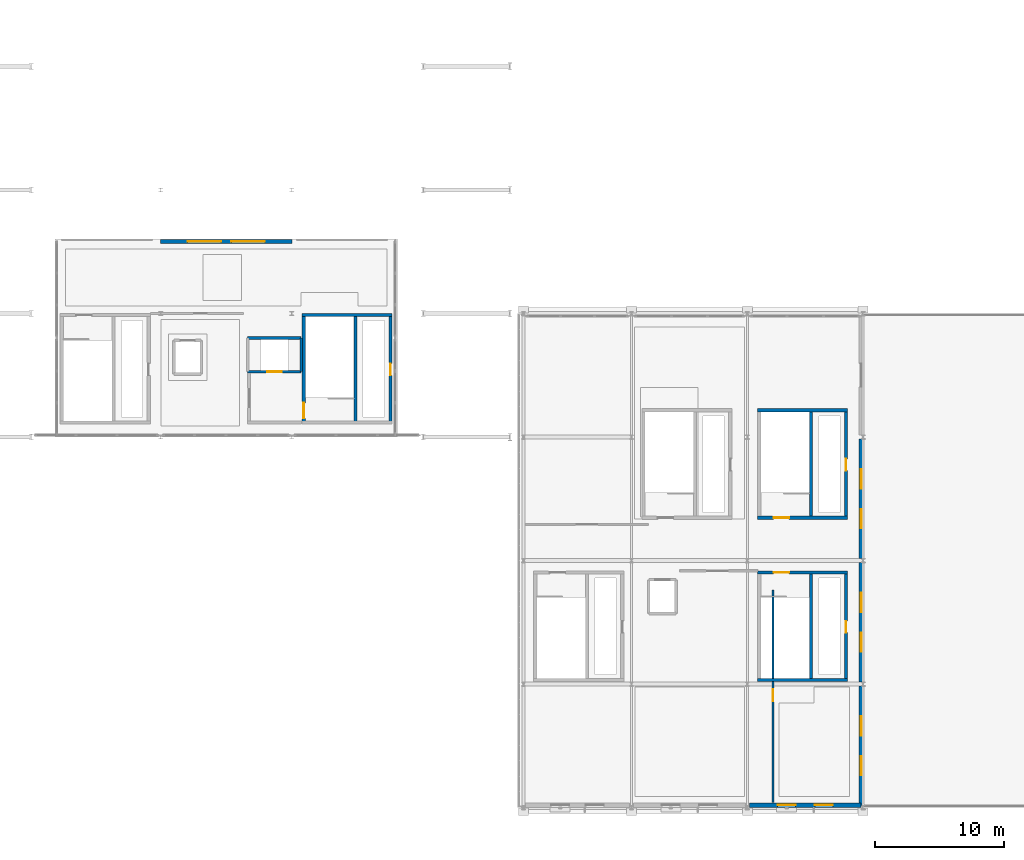
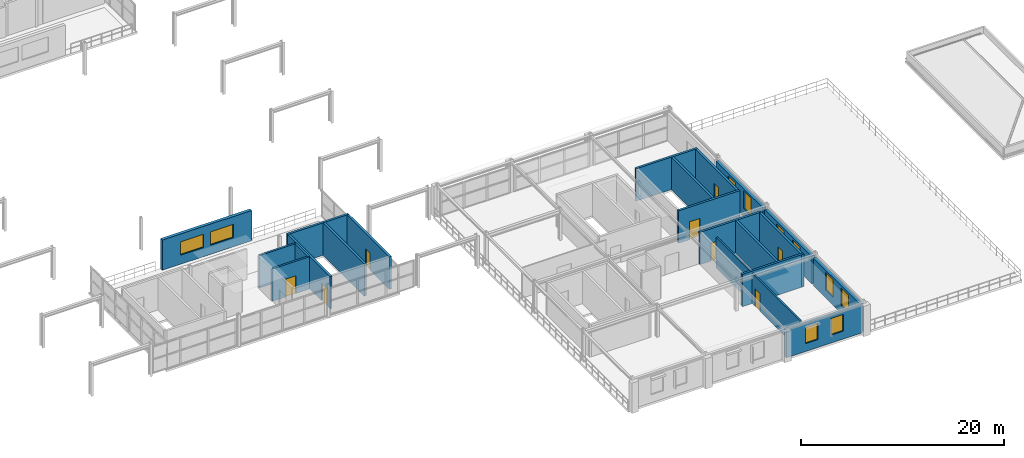
# One storey, part 35 of 52: 21 walls, 10 windows, 8 doors, 18 openings.
"""IFC4 building model written with IfcOpenShell, lengths in metres."""

from ifc_helpers import new_model, si_unit, direction, frame, frame_2d, origin, place, context, subcontext, project, spatial, rectangle, extrude, material, layer, layer_set, type_object, element, fill, save


model = new_model("IFC4")

# Units and contexts
model_context = context("Model", 3, precision=1e-05, world=origin(), true_north=direction((0.0, 1.0)))
body_context = subcontext(model_context, "Body", "Model", "MODEL_VIEW")
ifc_project = project(units=[si_unit("LENGTHUNIT", "METRE"), si_unit("AREAUNIT", "SQUARE_METRE"), si_unit("VOLUMEUNIT", "CUBIC_METRE"), si_unit("PLANEANGLEUNIT", "RADIAN"), si_unit("MASSUNIT", "GRAM", prefix="KILO")], contexts=[model_context])

# Site, building, storey
site_placement = place(None, origin())
site = spatial("IfcSite", under=ifc_project, at=site_placement, CompositionType="ELEMENT")
building_placement = place(site_placement, origin())
building = spatial("IfcBuilding", under=site, at=building_placement, Name="Myrtia Square Station", CompositionType="ELEMENT")
storey_placement = place(building_placement, frame((0.0, 0.0, 15.0)))
storey = spatial("IfcBuildingStorey", under=building, at=storey_placement, Name="L03", CompositionType="ELEMENT", Elevation=15.0)

# Wall
ifc_material_1 = material(Name="Concrete C35/45", Category="concrete")
ifc_layer_1 = layer(ifc_material_1, 0.25, Name="Concrete C35/45")
ifc_layer_set_1 = layer_set([ifc_layer_1], Name="Concrete C35/45")
wall_type_1 = type_object("IfcWallType", Name="WL-CORE-250", PredefinedType="SHEAR", material=ifc_layer_set_1)
wall_1_placement = place(storey_placement, frame((100.39990234375, 38.27490234375, 0.0), z_axis=(0.0, 0.0, 1.0), x_axis=(1.0, 0.0, 0.0)))
element("IfcWall", 1, at=wall_1_placement, inside=storey, type_object=wall_type_1, Name="Core K3 shear wall L03 N", PredefinedType="SHEAR", context=body_context, shape_type="SweptSolid", body=[
    extrude(rectangle(XDim=7.0, YDim=0.25, at=frame_2d((3.5, 0.0))), origin(), (0.0, 0.0, 1.0), 3.89990234375),
])

# Wall, opening, door
wall_2_placement = place(storey_placement, frame((100.52490234375, 29.800048828125, 0.0), z_axis=(0.0, 0.0, 1.0), x_axis=(0.0, 1.0, 0.0)))
wall_2 = element("IfcWall", 2, at=wall_2_placement, inside=storey, type_object=wall_type_1, Name="Core K3 shear wall L03 W", PredefinedType="SHEAR", context=body_context, shape_type="SweptSolid", body=[
    extrude(rectangle(XDim=8.599853515625, YDim=0.25, at=frame_2d((4.2998046875, 0.0))), origin(), (0.0, 0.0, 1.0), 3.89990234375),
])
opening_1_placement = place(wall_2_placement, frame((0.449951171875, 0.0, 0.0)))
opening_1 = element("IfcOpeningElement", 3, at=opening_1_placement, cuts=wall_2, Name="Opening SD-033", PredefinedType="OPENING", context=body_context, shape_type="SweptSolid", body=[
    extrude(rectangle(XDim=1.199951171875, YDim=2.14990234375, at=frame_2d((0.60009765625, 1.074951171875))), frame((0.0, 0.139892578125, 0.0), z_axis=(0.0, -1.0, 0.0), x_axis=(1.0, 0.0, 0.0)), (0.0, 0.0, 1.0), 0.280029296875),
])
ifc_material_2 = material(Name="Dark bronze anodised aluminium", Category="aluminium")
door_type_1 = type_object("IfcDoorType", Name="DR-STAIR-1200x2150", OperationType="NOTDEFINED", PredefinedType="DOOR", material=ifc_material_2)
door_1_placement = place(opening_1_placement, frame((1.199951171875, 0.0, 0.0), z_axis=(0.0, 0.0, 1.0), x_axis=(-1.0, 0.0, 0.0)))
door_1 = element("IfcDoor", 4, at=door_1_placement, inside=storey, type_object=door_type_1, Name="Protected stair fire door K3 L03", OperationType="SINGLE_SWING_LEFT", OverallHeight=2.14990234375, OverallWidth=1.199951171875, PredefinedType="DOOR", context=body_context, shape_type="SweptSolid", body=[
    extrude(rectangle(XDim=1.199951171875, YDim=2.14990234375, at=frame_2d((0.60009765625, 1.074951171875))), frame((0.0, 0.02490234375, 0.0), z_axis=(0.0, -1.0, 0.0), x_axis=(1.0, 0.0, 0.0)), (0.0, 0.0, 1.0), 0.050048828125),
])
fill(opening_1, door_1)

wall_3_placement = place(storey_placement, frame((107.27490234375, 29.800048828125, 0.0), z_axis=(0.0, 0.0, 1.0), x_axis=(0.0, 1.0, 0.0)))
wall_3 = element("IfcWall", 5, at=wall_3_placement, inside=storey, type_object=wall_type_1, Name="Core K3 shear wall L03 E", PredefinedType="SHEAR", context=body_context, shape_type="SweptSolid", body=[
    extrude(rectangle(XDim=8.599853515625, YDim=0.25, at=frame_2d((4.2998046875, 0.0))), origin(), (0.0, 0.0, 1.0), 3.89990234375),
])
opening_2_placement = place(wall_3_placement, frame((3.800048828125, 0.0, 0.0)))
opening_2 = element("IfcOpeningElement", 6, at=opening_2_placement, cuts=wall_3, Name="Opening RD-034", PredefinedType="OPENING", context=body_context, shape_type="SweptSolid", body=[
    extrude(rectangle(XDim=0.89990234375, YDim=2.050048828125, at=frame_2d((0.449951171875, 1.02490234375))), frame((0.0, 0.139892578125, 0.0), z_axis=(0.0, -1.0, 0.0), x_axis=(1.0, 0.0, 0.0)), (0.0, 0.0, 1.0), 0.280029296875),
])
door_type_2 = type_object("IfcDoorType", Name="DR-RISER-900x2050", OperationType="NOTDEFINED", PredefinedType="DOOR", material=ifc_material_2)
door_2_placement = place(opening_2_placement, origin())
door_2 = element("IfcDoor", 7, at=door_2_placement, inside=storey, type_object=door_type_2, Name="Riser cupboard access door K3 L03", OperationType="SINGLE_SWING_RIGHT", OverallHeight=2.050048828125, OverallWidth=0.89990234375, PredefinedType="DOOR", context=body_context, shape_type="SweptSolid", body=[
    extrude(rectangle(XDim=0.89990234375, YDim=2.050048828125, at=frame_2d((0.449951171875, 1.02490234375))), frame((0.0, 0.02490234375, 0.0), z_axis=(0.0, -1.0, 0.0), x_axis=(1.0, 0.0, 0.0)), (0.0, 0.0, 1.0), 0.050048828125),
])
fill(opening_2, door_2)

# Walls
wall_4_placement = place(storey_placement, frame((104.5400390625, 30.0, 0.0), z_axis=(0.0, 0.0, 1.0), x_axis=(0.0, 1.0, 0.0)))
element("IfcWall", 8, at=wall_4_placement, inside=storey, type_object=wall_type_1, Name="Core K3 shear wall L03 D", PredefinedType="SHEAR", context=body_context, shape_type="SweptSolid", body=[
    extrude(rectangle(XDim=8.199951171875, YDim=0.25, at=frame_2d((4.10009765625, 0.0))), origin(), (0.0, 0.0, 1.0), 3.89990234375),
])
wall_5_placement = place(storey_placement, frame((135.800048828125, 9.925048828125, 0.0), z_axis=(0.0, 0.0, 1.0), x_axis=(1.0, 0.0, 0.0)))
element("IfcWall", 9, at=wall_5_placement, inside=storey, type_object=wall_type_1, Name="Core K6 shear wall L03 S", PredefinedType="SHEAR", context=body_context, shape_type="SweptSolid", body=[
    extrude(rectangle(XDim=7.0, YDim=0.25, at=frame_2d((3.5, 0.0))), origin(), (0.0, 0.0, 1.0), 3.89990234375),
])

# Wall, opening, door
wall_6_placement = place(storey_placement, frame((135.800048828125, 18.27490234375, 0.0), z_axis=(0.0, 0.0, 1.0), x_axis=(1.0, 0.0, 0.0)))
wall_6 = element("IfcWall", 10, at=wall_6_placement, inside=storey, type_object=wall_type_1, Name="Core K6 shear wall L03 N", PredefinedType="SHEAR", context=body_context, shape_type="SweptSolid", body=[
    extrude(rectangle(XDim=7.0, YDim=0.25, at=frame_2d((3.5, 0.0))), origin(), (0.0, 0.0, 1.0), 3.89990234375),
])
opening_3_placement = place(wall_6_placement, frame((1.25, 0.0, 0.0)))
opening_3 = element("IfcOpeningElement", 11, at=opening_3_placement, cuts=wall_6, Name="Opening SD-069", PredefinedType="OPENING", context=body_context, shape_type="SweptSolid", body=[
    extrude(rectangle(XDim=1.199951171875, YDim=2.14990234375, at=frame_2d((0.60009765625, 1.074951171875))), frame((0.0, 0.139892578125, 0.0), z_axis=(0.0, -1.0, 0.0), x_axis=(1.0, 0.0, 0.0)), (0.0, 0.0, 1.0), 0.280029296875),
])
door_3_placement = place(opening_3_placement, frame((1.199951171875, 0.0, 0.0), z_axis=(0.0, 0.0, 1.0), x_axis=(-1.0, 0.0, 0.0)))
door_3 = element("IfcDoor", 12, at=door_3_placement, inside=storey, type_object=door_type_1, Name="Protected stair fire door K6 L03", OperationType="SINGLE_SWING_LEFT", OverallHeight=2.14990234375, OverallWidth=1.199951171875, PredefinedType="DOOR", context=body_context, shape_type="SweptSolid", body=[
    extrude(rectangle(XDim=1.199951171875, YDim=2.14990234375, at=frame_2d((0.60009765625, 1.074951171875))), frame((0.0, 0.02490234375, 0.0), z_axis=(0.0, -1.0, 0.0), x_axis=(1.0, 0.0, 0.0)), (0.0, 0.0, 1.0), 0.050048828125),
])
fill(opening_3, door_3)

wall_7_placement = place(storey_placement, frame((142.675048828125, 9.800048828125, 0.0), z_axis=(0.0, 0.0, 1.0), x_axis=(0.0, 1.0, 0.0)))
wall_7 = element("IfcWall", 13, at=wall_7_placement, inside=storey, type_object=wall_type_1, Name="Core K6 shear wall L03 E", PredefinedType="SHEAR", context=body_context, shape_type="SweptSolid", body=[
    extrude(rectangle(XDim=8.599853515625, YDim=0.25, at=frame_2d((4.2998046875, 0.0))), origin(), (0.0, 0.0, 1.0), 3.89990234375),
])
opening_4_placement = place(wall_7_placement, frame((3.800048828125, 0.0, 0.0)))
opening_4 = element("IfcOpeningElement", 14, at=opening_4_placement, cuts=wall_7, Name="Opening RD-070", PredefinedType="OPENING", context=body_context, shape_type="SweptSolid", body=[
    extrude(rectangle(XDim=0.89990234375, YDim=2.050048828125, at=frame_2d((0.449951171875, 1.02490234375))), frame((0.0, 0.139892578125, 0.0), z_axis=(0.0, -1.0, 0.0), x_axis=(1.0, 0.0, 0.0)), (0.0, 0.0, 1.0), 0.280029296875),
])
door_4_placement = place(opening_4_placement, origin())
door_4 = element("IfcDoor", 15, at=door_4_placement, inside=storey, type_object=door_type_2, Name="Riser cupboard access door K6 L03", OperationType="SINGLE_SWING_RIGHT", OverallHeight=2.050048828125, OverallWidth=0.89990234375, PredefinedType="DOOR", context=body_context, shape_type="SweptSolid", body=[
    extrude(rectangle(XDim=0.89990234375, YDim=2.050048828125, at=frame_2d((0.449951171875, 1.02490234375))), frame((0.0, 0.02490234375, 0.0), z_axis=(0.0, -1.0, 0.0), x_axis=(1.0, 0.0, 0.0)), (0.0, 0.0, 1.0), 0.050048828125),
])
fill(opening_4, door_4)

# Wall
wall_8_placement = place(storey_placement, frame((139.93994140625, 10.0, 0.0), z_axis=(0.0, 0.0, 1.0), x_axis=(0.0, 1.0, 0.0)))
element("IfcWall", 16, at=wall_8_placement, inside=storey, type_object=wall_type_1, Name="Core K6 shear wall L03 D", PredefinedType="SHEAR", context=body_context, shape_type="SweptSolid", body=[
    extrude(rectangle(XDim=8.199951171875, YDim=0.25, at=frame_2d((4.10009765625, 0.0))), origin(), (0.0, 0.0, 1.0), 3.89990234375),
])

# Wall, opening, door
wall_9_placement = place(storey_placement, frame((135.800048828125, 22.52490234375, 0.0), z_axis=(0.0, 0.0, 1.0), x_axis=(1.0, 0.0, 0.0)))
wall_9 = element("IfcWall", 17, at=wall_9_placement, inside=storey, type_object=wall_type_1, Name="Core K9 shear wall L03 S", PredefinedType="SHEAR", context=body_context, shape_type="SweptSolid", body=[
    extrude(rectangle(XDim=7.0, YDim=0.25, at=frame_2d((3.5, 0.0))), origin(), (0.0, 0.0, 1.0), 3.89990234375),
])
opening_5_placement = place(wall_9_placement, frame((1.25, 0.0, 0.0)))
opening_5 = element("IfcOpeningElement", 18, at=opening_5_placement, cuts=wall_9, Name="Opening SD-079", PredefinedType="OPENING", context=body_context, shape_type="SweptSolid", body=[
    extrude(rectangle(XDim=1.199951171875, YDim=2.14990234375, at=frame_2d((0.60009765625, 1.074951171875))), frame((0.0, 0.139892578125, 0.0), z_axis=(0.0, -1.0, 0.0), x_axis=(1.0, 0.0, 0.0)), (0.0, 0.0, 1.0), 0.280029296875),
])
door_5_placement = place(opening_5_placement, origin())
door_5 = element("IfcDoor", 19, at=door_5_placement, inside=storey, type_object=door_type_1, Name="Protected stair fire door K9 L03", OperationType="SINGLE_SWING_LEFT", OverallHeight=2.14990234375, OverallWidth=1.199951171875, PredefinedType="DOOR", context=body_context, shape_type="SweptSolid", body=[
    extrude(rectangle(XDim=1.199951171875, YDim=2.14990234375, at=frame_2d((0.60009765625, 1.074951171875))), frame((0.0, 0.02490234375, 0.0), z_axis=(0.0, -1.0, 0.0), x_axis=(1.0, 0.0, 0.0)), (0.0, 0.0, 1.0), 0.050048828125),
])
fill(opening_5, door_5)

# Wall
wall_10_placement = place(storey_placement, frame((135.800048828125, 30.875, 0.0), z_axis=(0.0, 0.0, 1.0), x_axis=(1.0, 0.0, 0.0)))
element("IfcWall", 20, at=wall_10_placement, inside=storey, type_object=wall_type_1, Name="Core K9 shear wall L03 N", PredefinedType="SHEAR", context=body_context, shape_type="SweptSolid", body=[
    extrude(rectangle(XDim=7.0, YDim=0.25, at=frame_2d((3.5, 0.0))), origin(), (0.0, 0.0, 1.0), 3.89990234375),
])

# Wall, opening, door
wall_11_placement = place(storey_placement, frame((142.675048828125, 22.39990234375, 0.0), z_axis=(0.0, 0.0, 1.0), x_axis=(0.0, 1.0, 0.0)))
wall_11 = element("IfcWall", 21, at=wall_11_placement, inside=storey, type_object=wall_type_1, Name="Core K9 shear wall L03 E", PredefinedType="SHEAR", context=body_context, shape_type="SweptSolid", body=[
    extrude(rectangle(XDim=8.60009765625, YDim=0.25, at=frame_2d((4.300048828125, 0.0))), origin(), (0.0, 0.0, 1.0), 3.89990234375),
])
opening_6_placement = place(wall_11_placement, frame((3.800048828125, 0.0, 0.0)))
opening_6 = element("IfcOpeningElement", 22, at=opening_6_placement, cuts=wall_11, Name="Opening RD-080", PredefinedType="OPENING", context=body_context, shape_type="SweptSolid", body=[
    extrude(rectangle(XDim=0.89990234375, YDim=2.050048828125, at=frame_2d((0.449951171875, 1.02490234375))), frame((0.0, 0.139892578125, 0.0), z_axis=(0.0, -1.0, 0.0), x_axis=(1.0, 0.0, 0.0)), (0.0, 0.0, 1.0), 0.280029296875),
])
door_6_placement = place(opening_6_placement, origin())
door_6 = element("IfcDoor", 23, at=door_6_placement, inside=storey, type_object=door_type_2, Name="Riser cupboard access door K9 L03", OperationType="SINGLE_SWING_RIGHT", OverallHeight=2.050048828125, OverallWidth=0.89990234375, PredefinedType="DOOR", context=body_context, shape_type="SweptSolid", body=[
    extrude(rectangle(XDim=0.89990234375, YDim=2.050048828125, at=frame_2d((0.449951171875, 1.02490234375))), frame((0.0, 0.02490234375, 0.0), z_axis=(0.0, -1.0, 0.0), x_axis=(1.0, 0.0, 0.0)), (0.0, 0.0, 1.0), 0.050048828125),
])
fill(opening_6, door_6)

# Wall
wall_12_placement = place(storey_placement, frame((139.93994140625, 22.60009765625, 0.0), z_axis=(0.0, 0.0, 1.0), x_axis=(0.0, 1.0, 0.0)))
element("IfcWall", 24, at=wall_12_placement, inside=storey, type_object=wall_type_1, Name="Core K9 shear wall L03 D", PredefinedType="SHEAR", context=body_context, shape_type="SweptSolid", body=[
    extrude(rectangle(XDim=8.199951171875, YDim=0.25, at=frame_2d((4.10009765625, 0.0))), origin(), (0.0, 0.0, 1.0), 3.89990234375),
])

# Wall, openings, windows
ifc_material_3 = material(Name="Cream lime stucco on clay brick masonry", Category="masonry")
ifc_layer_2 = layer(ifc_material_3, 0.340087890625, Name="Cream lime stucco on clay brick masonry")
ifc_layer_set_2 = layer_set([ifc_layer_2], Name="Cream lime stucco on clay brick masonry")
wall_type_2 = type_object("IfcWallType", Name="WL-EXT-STUCCO-340", PredefinedType="SOLIDWALL", material=ifc_layer_set_2)
wall_13_placement = place(storey_placement, frame((89.39990234375, 44.0, 0.0), z_axis=(0.0, 0.0, 1.0), x_axis=(1.0, 0.0, 0.0)))
wall_13 = element("IfcWall", 25, at=wall_13_placement, inside=storey, type_object=wall_type_2, Name="Exterior envelope wall EW-L03-0015", PredefinedType="SOLIDWALL", context=body_context, shape_type="SweptSolid", body=[
    extrude(rectangle(XDim=10.2001953125, YDim=0.340087890625, at=frame_2d((5.10009765625, 0.0))), origin(), (0.0, 0.0, 1.0), 3.639892578125),
])
opening_7_placement = place(wall_13_placement, frame((2.10009765625, 0.0, 1.10009765625)))
opening_7 = element("IfcOpeningElement", 26, at=opening_7_placement, cuts=wall_13, Name="Opening WN-005", PredefinedType="OPENING", context=body_context, shape_type="SweptSolid", body=[
    extrude(rectangle(XDim=2.60009765625, YDim=1.60009765625, at=frame_2d((1.300048828125, 0.800048828125))), frame((0.0, 0.18505859375, 0.0), z_axis=(0.0, -1.0, 0.0), x_axis=(1.0, 0.0, 0.0)), (0.0, 0.0, 1.0), 0.3701171875),
])
opening_8_placement = place(wall_13_placement, frame((5.5, 0.0, 1.10009765625)))
opening_8 = element("IfcOpeningElement", 27, at=opening_8_placement, cuts=wall_13, Name="Opening WN-006", PredefinedType="OPENING", context=body_context, shape_type="SweptSolid", body=[
    extrude(rectangle(XDim=2.60009765625, YDim=1.60009765625, at=frame_2d((1.300048828125, 0.800048828125))), frame((0.0, 0.18505859375, 0.0), z_axis=(0.0, -1.0, 0.0), x_axis=(1.0, 0.0, 0.0)), (0.0, 0.0, 1.0), 0.3701171875),
])
ifc_material_4 = material(Name="Tinted low-E solar control glass", Category="glass")
window_type_1 = type_object("IfcWindowType", Name="WN-CLER-2600x1600", PartitioningType="SINGLE_PANEL", PredefinedType="WINDOW", material=ifc_material_4)
window_1_placement = place(opening_7_placement, origin())
window_1 = element("IfcWindow", 28, at=window_1_placement, inside=storey, type_object=window_type_1, Name="Window WN-005", OverallHeight=1.60009765625, OverallWidth=2.60009765625, PartitioningType="SINGLE_PANEL", PredefinedType="WINDOW", context=body_context, shape_type="SweptSolid", body=[
    extrude(rectangle(XDim=2.60009765625, YDim=1.60009765625, at=frame_2d((1.300048828125, 0.800048828125))), frame((0.0, 0.030029296875, 0.0), z_axis=(0.0, -1.0, 0.0), x_axis=(1.0, 0.0, 0.0)), (0.0, 0.0, 1.0), 0.06005859375),
])
fill(opening_7, window_1)
window_2_placement = place(opening_8_placement, origin())
window_2 = element("IfcWindow", 29, at=window_2_placement, inside=storey, type_object=window_type_1, Name="Window WN-006", OverallHeight=1.60009765625, OverallWidth=2.60009765625, PartitioningType="SINGLE_PANEL", PredefinedType="WINDOW", context=body_context, shape_type="SweptSolid", body=[
    extrude(rectangle(XDim=2.60009765625, YDim=1.60009765625, at=frame_2d((1.300048828125, 0.800048828125))), frame((0.0, 0.030029296875, 0.0), z_axis=(0.0, -1.0, 0.0), x_axis=(1.0, 0.0, 0.0)), (0.0, 0.0, 1.0), 0.06005859375),
])
fill(opening_8, window_2)

wall_14_placement = place(storey_placement, frame((143.85009765625, 0.159912109375, 0.0), z_axis=(0.0, 0.0, 1.0), x_axis=(0.0, 1.0, 0.0)))
wall_14 = element("IfcWall", 30, at=wall_14_placement, inside=storey, type_object=wall_type_2, Name="Exterior envelope wall EW-L03-0078", PredefinedType="SOLIDWALL", context=body_context, shape_type="SweptSolid", body=[
    extrude(rectangle(XDim=9.280029296875, YDim=0.340087890625, at=frame_2d((4.64013671875, 0.0))), origin(), (0.0, 0.0, 1.0), 3.3349609375),
])
opening_9_placement = place(wall_14_placement, frame((2.343017578125, 0.0, 0.949951171875)))
opening_9 = element("IfcOpeningElement", 31, at=opening_9_placement, cuts=wall_14, Name="Opening WN-079", PredefinedType="OPENING", context=body_context, shape_type="SweptSolid", body=[
    extrude(rectangle(XDim=1.5, YDim=2.10009765625, at=frame_2d((0.75, 1.050048828125))), frame((0.0, 0.18505859375, 0.0), z_axis=(0.0, -1.0, 0.0), x_axis=(1.0, 0.0, 0.0)), (0.0, 0.0, 1.0), 0.3701171875),
])
opening_10_placement = place(wall_14_placement, frame((5.43701171875, 0.0, 0.949951171875)))
opening_10 = element("IfcOpeningElement", 32, at=opening_10_placement, cuts=wall_14, Name="Opening WN-080", PredefinedType="OPENING", context=body_context, shape_type="SweptSolid", body=[
    extrude(rectangle(XDim=1.5, YDim=2.10009765625, at=frame_2d((0.75, 1.050048828125))), frame((0.0, 0.18505859375, 0.0), z_axis=(0.0, -1.0, 0.0), x_axis=(1.0, 0.0, 0.0)), (0.0, 0.0, 1.0), 0.3701171875),
])
window_type_2 = type_object("IfcWindowType", Name="WN-LOG-1500x2100", PartitioningType="SINGLE_PANEL", PredefinedType="WINDOW", material=ifc_material_4)
window_3_placement = place(opening_9_placement, origin())
window_3 = element("IfcWindow", 33, at=window_3_placement, inside=storey, type_object=window_type_2, Name="Window WN-079", OverallHeight=2.10009765625, OverallWidth=1.5, PartitioningType="SINGLE_PANEL", PredefinedType="WINDOW", context=body_context, shape_type="SweptSolid", body=[
    extrude(rectangle(XDim=1.5, YDim=2.10009765625, at=frame_2d((0.75, 1.050048828125))), frame((0.0, 0.030029296875, 0.0), z_axis=(0.0, -1.0, 0.0), x_axis=(1.0, 0.0, 0.0)), (0.0, 0.0, 1.0), 0.06005859375),
])
fill(opening_9, window_3)
window_4_placement = place(opening_10_placement, origin())
window_4 = element("IfcWindow", 34, at=window_4_placement, inside=storey, type_object=window_type_2, Name="Window WN-080", OverallHeight=2.10009765625, OverallWidth=1.5, PartitioningType="SINGLE_PANEL", PredefinedType="WINDOW", context=body_context, shape_type="SweptSolid", body=[
    extrude(rectangle(XDim=1.5, YDim=2.10009765625, at=frame_2d((0.75, 1.050048828125))), frame((0.0, 0.030029296875, 0.0), z_axis=(0.0, -1.0, 0.0), x_axis=(1.0, 0.0, 0.0)), (0.0, 0.0, 1.0), 0.06005859375),
])
fill(opening_10, window_4)

wall_15_placement = place(storey_placement, frame((143.85009765625, 9.760009765625, 0.0), z_axis=(0.0, 0.0, 1.0), x_axis=(0.0, 1.0, 0.0)))
wall_15 = element("IfcWall", 35, at=wall_15_placement, inside=storey, type_object=wall_type_2, Name="Exterior envelope wall EW-L03-0079", PredefinedType="SOLIDWALL", context=body_context, shape_type="SweptSolid", body=[
    extrude(rectangle(XDim=9.280029296875, YDim=0.340087890625, at=frame_2d((4.64013671875, 0.0))), origin(), (0.0, 0.0, 1.0), 3.3349609375),
])
opening_11_placement = place(wall_15_placement, frame((2.343017578125, 0.0, 0.949951171875)))
opening_11 = element("IfcOpeningElement", 36, at=opening_11_placement, cuts=wall_15, Name="Opening WN-081", PredefinedType="OPENING", context=body_context, shape_type="SweptSolid", body=[
    extrude(rectangle(XDim=1.5, YDim=2.10009765625, at=frame_2d((0.75, 1.050048828125))), frame((0.0, 0.18505859375, 0.0), z_axis=(0.0, -1.0, 0.0), x_axis=(1.0, 0.0, 0.0)), (0.0, 0.0, 1.0), 0.3701171875),
])
opening_12_placement = place(wall_15_placement, frame((5.43701171875, 0.0, 0.949951171875)))
opening_12 = element("IfcOpeningElement", 37, at=opening_12_placement, cuts=wall_15, Name="Opening WN-082", PredefinedType="OPENING", context=body_context, shape_type="SweptSolid", body=[
    extrude(rectangle(XDim=1.5, YDim=2.10009765625, at=frame_2d((0.75, 1.050048828125))), frame((0.0, 0.18505859375, 0.0), z_axis=(0.0, -1.0, 0.0), x_axis=(1.0, 0.0, 0.0)), (0.0, 0.0, 1.0), 0.3701171875),
])
window_5_placement = place(opening_11_placement, origin())
window_5 = element("IfcWindow", 38, at=window_5_placement, inside=storey, type_object=window_type_2, Name="Window WN-081", OverallHeight=2.10009765625, OverallWidth=1.5, PartitioningType="SINGLE_PANEL", PredefinedType="WINDOW", context=body_context, shape_type="SweptSolid", body=[
    extrude(rectangle(XDim=1.5, YDim=2.10009765625, at=frame_2d((0.75, 1.050048828125))), frame((0.0, 0.030029296875, 0.0), z_axis=(0.0, -1.0, 0.0), x_axis=(1.0, 0.0, 0.0)), (0.0, 0.0, 1.0), 0.06005859375),
])
fill(opening_11, window_5)
window_6_placement = place(opening_12_placement, origin())
window_6 = element("IfcWindow", 39, at=window_6_placement, inside=storey, type_object=window_type_2, Name="Window WN-082", OverallHeight=2.10009765625, OverallWidth=1.5, PartitioningType="SINGLE_PANEL", PredefinedType="WINDOW", context=body_context, shape_type="SweptSolid", body=[
    extrude(rectangle(XDim=1.5, YDim=2.10009765625, at=frame_2d((0.75, 1.050048828125))), frame((0.0, 0.030029296875, 0.0), z_axis=(0.0, -1.0, 0.0), x_axis=(1.0, 0.0, 0.0)), (0.0, 0.0, 1.0), 0.06005859375),
])
fill(opening_12, window_6)

wall_16_placement = place(storey_placement, frame((143.85009765625, 19.360107421875, 0.0), z_axis=(0.0, 0.0, 1.0), x_axis=(0.0, 1.0, 0.0)))
wall_16 = element("IfcWall", 40, at=wall_16_placement, inside=storey, type_object=wall_type_2, Name="Exterior envelope wall EW-L03-0080", PredefinedType="SOLIDWALL", context=body_context, shape_type="SweptSolid", body=[
    extrude(rectangle(XDim=9.27978515625, YDim=0.340087890625, at=frame_2d((4.639892578125, 0.0))), origin(), (0.0, 0.0, 1.0), 3.3349609375),
])
opening_13_placement = place(wall_16_placement, frame((2.343017578125, 0.0, 0.949951171875)))
opening_13 = element("IfcOpeningElement", 41, at=opening_13_placement, cuts=wall_16, Name="Opening WN-083", PredefinedType="OPENING", context=body_context, shape_type="SweptSolid", body=[
    extrude(rectangle(XDim=1.5, YDim=2.10009765625, at=frame_2d((0.75, 1.050048828125))), frame((0.0, 0.18505859375, 0.0), z_axis=(0.0, -1.0, 0.0), x_axis=(1.0, 0.0, 0.0)), (0.0, 0.0, 1.0), 0.3701171875),
])
opening_14_placement = place(wall_16_placement, frame((5.43701171875, 0.0, 0.949951171875)))
opening_14 = element("IfcOpeningElement", 42, at=opening_14_placement, cuts=wall_16, Name="Opening WN-084", PredefinedType="OPENING", context=body_context, shape_type="SweptSolid", body=[
    extrude(rectangle(XDim=1.5, YDim=2.10009765625, at=frame_2d((0.75, 1.050048828125))), frame((0.0, 0.18505859375, 0.0), z_axis=(0.0, -1.0, 0.0), x_axis=(1.0, 0.0, 0.0)), (0.0, 0.0, 1.0), 0.3701171875),
])
window_7_placement = place(opening_13_placement, origin())
window_7 = element("IfcWindow", 43, at=window_7_placement, inside=storey, type_object=window_type_2, Name="Window WN-083", OverallHeight=2.10009765625, OverallWidth=1.5, PartitioningType="SINGLE_PANEL", PredefinedType="WINDOW", context=body_context, shape_type="SweptSolid", body=[
    extrude(rectangle(XDim=1.5, YDim=2.10009765625, at=frame_2d((0.75, 1.050048828125))), frame((0.0, 0.030029296875, 0.0), z_axis=(0.0, -1.0, 0.0), x_axis=(1.0, 0.0, 0.0)), (0.0, 0.0, 1.0), 0.06005859375),
])
fill(opening_13, window_7)
window_8_placement = place(opening_14_placement, origin())
window_8 = element("IfcWindow", 44, at=window_8_placement, inside=storey, type_object=window_type_2, Name="Window WN-084", OverallHeight=2.10009765625, OverallWidth=1.5, PartitioningType="SINGLE_PANEL", PredefinedType="WINDOW", context=body_context, shape_type="SweptSolid", body=[
    extrude(rectangle(XDim=1.5, YDim=2.10009765625, at=frame_2d((0.75, 1.050048828125))), frame((0.0, 0.030029296875, 0.0), z_axis=(0.0, -1.0, 0.0), x_axis=(1.0, 0.0, 0.0)), (0.0, 0.0, 1.0), 0.06005859375),
])
fill(opening_14, window_8)

ifc_layer_3 = layer(ifc_material_3, 0.360107421875, Name="Cream lime stucco on clay brick masonry")
ifc_layer_set_3 = layer_set([ifc_layer_3], Name="Cream lime stucco on clay brick masonry")
wall_type_3 = type_object("IfcWallType", Name="WL-EXT-STUCCO-360", PredefinedType="SOLIDWALL", material=ifc_layer_set_3)
wall_17_placement = place(storey_placement, frame((135.155029296875, 0.199951171875, 0.0), z_axis=(0.0, 0.0, 1.0), x_axis=(1.0, 0.0, 0.0)))
wall_17 = element("IfcWall", 45, at=wall_17_placement, inside=storey, type_object=wall_type_3, Name="Exterior envelope wall EW-L03-0061", PredefinedType="SOLIDWALL", context=body_context, shape_type="SweptSolid", body=[
    extrude(rectangle(XDim=8.68994140625, YDim=0.360107421875, at=frame_2d((4.344970703125, 0.0))), origin(), (0.0, 0.0, 1.0), 3.35498046875),
])
opening_15_placement = place(wall_17_placement, frame((2.197021484375, 0.0, 0.949951171875)))
opening_15 = element("IfcOpeningElement", 46, at=opening_15_placement, cuts=wall_17, Name="Opening WN-063", PredefinedType="OPENING", context=body_context, shape_type="SweptSolid", body=[
    extrude(rectangle(XDim=1.39990234375, YDim=2.0, at=frame_2d((0.699951171875, 1.0))), frame((0.0, 0.195068359375, 0.0), z_axis=(0.0, -1.0, 0.0), x_axis=(1.0, 0.0, 0.0)), (0.0, 0.0, 1.0), 0.39013671875),
])
opening_16_placement = place(wall_17_placement, frame((5.093017578125, 0.0, 0.949951171875)))
opening_16 = element("IfcOpeningElement", 47, at=opening_16_placement, cuts=wall_17, Name="Opening WN-064", PredefinedType="OPENING", context=body_context, shape_type="SweptSolid", body=[
    extrude(rectangle(XDim=1.39990234375, YDim=2.0, at=frame_2d((0.699951171875, 1.0))), frame((0.0, 0.195068359375, 0.0), z_axis=(0.0, -1.0, 0.0), x_axis=(1.0, 0.0, 0.0)), (0.0, 0.0, 1.0), 0.39013671875),
])
window_type_3 = type_object("IfcWindowType", Name="WN-LOG-1400x2000", PartitioningType="SINGLE_PANEL", PredefinedType="WINDOW", material=ifc_material_4)
window_9_placement = place(opening_15_placement, origin())
window_9 = element("IfcWindow", 48, at=window_9_placement, inside=storey, type_object=window_type_3, Name="Window WN-063", OverallHeight=2.0, OverallWidth=1.39990234375, PartitioningType="SINGLE_PANEL", PredefinedType="WINDOW", context=body_context, shape_type="SweptSolid", body=[
    extrude(rectangle(XDim=1.39990234375, YDim=2.0, at=frame_2d((0.699951171875, 1.0))), frame((0.0, 0.030029296875, 0.0), z_axis=(0.0, -1.0, 0.0), x_axis=(1.0, 0.0, 0.0)), (0.0, 0.0, 1.0), 0.06005859375),
])
fill(opening_15, window_9)
window_10_placement = place(opening_16_placement, origin())
window_10 = element("IfcWindow", 49, at=window_10_placement, inside=storey, type_object=window_type_3, Name="Window WN-064", OverallHeight=2.0, OverallWidth=1.39990234375, PartitioningType="SINGLE_PANEL", PredefinedType="WINDOW", context=body_context, shape_type="SweptSolid", body=[
    extrude(rectangle(XDim=1.39990234375, YDim=2.0, at=frame_2d((0.699951171875, 1.0))), frame((0.0, 0.030029296875, 0.0), z_axis=(0.0, -1.0, 0.0), x_axis=(1.0, 0.0, 0.0)), (0.0, 0.0, 1.0), 0.06005859375),
])
fill(opening_16, window_10)

# Wall, opening, door
ifc_layer_4 = layer(ifc_material_1, 0.219970703125, Name="Concrete C35/45")
ifc_layer_set_4 = layer_set([ifc_layer_4], Name="Concrete C35/45")
wall_type_4 = type_object("IfcWallType", Name="WL-LIFT-220", PredefinedType="SHEAR", material=ifc_layer_set_4)
wall_18_placement = place(storey_placement, frame((96.169921875, 33.8798828125, 0.0), z_axis=(0.0, 0.0, 1.0), x_axis=(1.0, 0.0, 0.0)))
wall_18 = element("IfcWall", 50, at=wall_18_placement, inside=storey, type_object=wall_type_4, Name="Lift shaft wall FFL-01 L03 -Y", PredefinedType="SHEAR", context=body_context, shape_type="SweptSolid", body=[
    extrude(rectangle(XDim=4.16015625, YDim=0.219970703125, at=frame_2d((2.080078125, 0.0))), origin(), (0.0, 0.0, 1.0), 3.89990234375),
])
opening_17_placement = place(wall_18_placement, frame((1.530029296875, 0.0, 0.0)))
opening_17 = element("IfcOpeningElement", 51, at=opening_17_placement, cuts=wall_18, Name="Opening LD-FFL-01", PredefinedType="OPENING", context=body_context, shape_type="SweptSolid", body=[
    extrude(rectangle(XDim=1.10009765625, YDim=2.14990234375, at=frame_2d((0.550048828125, 1.074951171875))), frame((0.0, 0.125, 0.0), z_axis=(0.0, -1.0, 0.0), x_axis=(1.0, 0.0, 0.0)), (0.0, 0.0, 1.0), 0.25),
])
door_type_3 = type_object("IfcDoorType", Name="DR-LIFT-1100x2150", OperationType="NOTDEFINED", PredefinedType="DOOR", material=ifc_material_2)
door_7_placement = place(opening_17_placement, origin())
door_7 = element("IfcDoor", 52, at=door_7_placement, inside=storey, type_object=door_type_3, Name="Lift landing door FFL-01 L03", OperationType="SLIDING_TO_RIGHT", OverallHeight=2.14990234375, OverallWidth=1.10009765625, PredefinedType="DOOR", context=body_context, shape_type="SweptSolid", body=[
    extrude(rectangle(XDim=1.10009765625, YDim=2.14990234375, at=frame_2d((0.550048828125, 1.074951171875))), frame((0.0, 0.02490234375, 0.0), z_axis=(0.0, -1.0, 0.0), x_axis=(1.0, 0.0, 0.0)), (0.0, 0.0, 1.0), 0.050048828125),
])
fill(opening_17, door_7)

# Walls
wall_19_placement = place(storey_placement, frame((96.169921875, 36.5, 0.0), z_axis=(0.0, 0.0, 1.0), x_axis=(1.0, 0.0, 0.0)))
element("IfcWall", 53, at=wall_19_placement, inside=storey, type_object=wall_type_4, Name="Lift shaft wall FFL-01 L03 +Y", PredefinedType="SHEAR", context=body_context, shape_type="SweptSolid", body=[
    extrude(rectangle(XDim=4.16015625, YDim=0.219970703125, at=frame_2d((2.080078125, 0.0))), origin(), (0.0, 0.0, 1.0), 3.89990234375),
])
wall_20_placement = place(storey_placement, frame((100.330078125, 33.8798828125, 0.0), z_axis=(0.0, 0.0, 1.0), x_axis=(0.0, 1.0, 0.0)))
element("IfcWall", 54, at=wall_20_placement, inside=storey, type_object=wall_type_4, Name="Lift shaft wall FFL-01 L03 +X", PredefinedType="SHEAR", context=body_context, shape_type="SweptSolid", body=[
    extrude(rectangle(XDim=2.6201171875, YDim=0.219970703125, at=frame_2d((1.31005859375, 0.0))), origin(), (0.0, 0.0, 1.0), 3.89990234375),
])

# Wall, opening, door
ifc_layer_5 = layer(ifc_material_3, 0.175048828125, Name="Cream lime stucco on clay brick masonry")
ifc_layer_set_5 = layer_set([ifc_layer_5], Name="Cream lime stucco on clay brick masonry")
wall_type_5 = type_object("IfcWallType", Name="WL-PART-175", PredefinedType="PARTITIONING", material=ifc_layer_set_5)
wall_21_placement = place(storey_placement, frame((137.0, 0.385009765625, 0.0), z_axis=(0.0, 0.0, 1.0), x_axis=(0.0, 1.0, 0.0)))
wall_21 = element("IfcWall", 55, at=wall_21_placement, inside=storey, type_object=wall_type_5, Name="Interior partition wall L03-10", PredefinedType="PARTITIONING", context=body_context, shape_type="SweptSolid", body=[
    extrude(rectangle(XDim=16.5400390625, YDim=0.175048828125, at=frame_2d((8.27001953125, 0.0))), origin(), (0.0, 0.0, 1.0), 3.639892578125),
])
opening_18_placement = place(wall_21_placement, frame((7.8779296875, 0.0, 0.0)))
opening_18 = element("IfcOpeningElement", 56, at=opening_18_placement, cuts=wall_21, Name="Opening D-272", PredefinedType="OPENING", context=body_context, shape_type="SweptSolid", body=[
    extrude(rectangle(XDim=0.949951171875, YDim=2.10009765625, at=frame_2d((0.47509765625, 1.050048828125))), frame((0.0, 0.1025390625, 0.0), z_axis=(0.0, -1.0, 0.0), x_axis=(1.0, 0.0, 0.0)), (0.0, 0.0, 1.0), 0.205078125),
])
ifc_material_5 = material(Name="Acoustic European oak timber", Category="wood")
door_type_4 = type_object("IfcDoorType", Name="DR-WC-950x2100", OperationType="NOTDEFINED", PredefinedType="DOOR", material=ifc_material_5)
door_8_placement = place(opening_18_placement, origin())
door_8 = element("IfcDoor", 57, at=door_8_placement, inside=storey, type_object=door_type_4, Name="Bookshop Public Sanitary and Accessible WC door D-272", OperationType="SINGLE_SWING_LEFT", OverallHeight=2.10009765625, OverallWidth=0.949951171875, PredefinedType="DOOR", context=body_context, shape_type="SweptSolid", body=[
    extrude(rectangle(XDim=0.949951171875, YDim=2.10009765625, at=frame_2d((0.47509765625, 1.050048828125))), frame((0.0, 0.02490234375, 0.0), z_axis=(0.0, -1.0, 0.0), x_axis=(1.0, 0.0, 0.0)), (0.0, 0.0, 1.0), 0.050048828125),
])
fill(opening_18, door_8)

save(model, "model.ifc")
